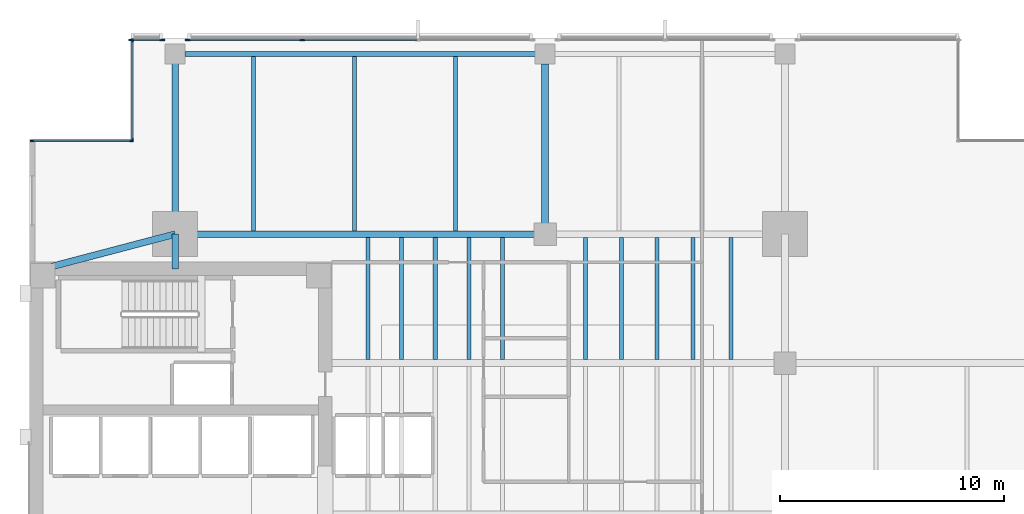
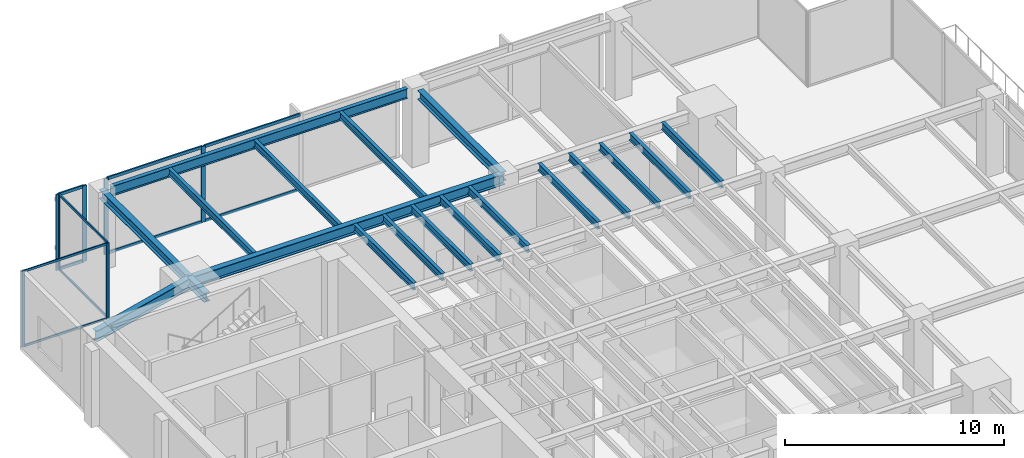
# One storey, part 5 of 14: 19 beams, 18 members, 4 elements without a shape of their own.
"""IFC4 building model written with IfcOpenShell, lengths in metres."""

import ifcopenshell
import ifcopenshell.guid

model = None  # the IFC model being written
_history = None  # IfcOwnerHistory: only IFC2X3 demands one
_inside = {}  # id of a spatial element -> (the spatial element, [elements in it])
_under = {}  # id of a project, library or spatial element -> (it, [spatial elements below it])
_declared = {}  # id of a project -> (the project, [libraries it declares])
_typed = {}  # id of a type object -> (the type object, [elements of that type])
_made_of = {}  # id of a material, layer set ... -> (it, [elements and type objects made of it])


def new_model(schema):
    """Start an empty IFC model of exactly this schema.

    Asked for "IFC4X3", IfcOpenShell would pick the latest addendum, in which some entities
    have other attributes; the version numbers below select the first issue.
    IFC2X3 requires an IfcOwnerHistory on every rooted entity: one is made here for all.
    """
    global model, _history
    if schema == "IFC4X3":
        model = ifcopenshell.file(schema_version=(4, 3, 0, 0))
    else:
        model = ifcopenshell.file(schema=schema)
    _inside.clear()
    _under.clear()
    _declared.clear()
    _typed.clear()
    _made_of.clear()
    _history = None
    if model.schema == "IFC2X3":
        org = make("IfcOrganization", Name="unknown")
        user = make(
            "IfcPersonAndOrganization",
            ThePerson=make("IfcPerson", FamilyName="unknown"),
            TheOrganization=org,
        )
        app = make(
            "IfcApplication",
            ApplicationDeveloper=org,
            Version="unknown",
            ApplicationFullName="unknown",
            ApplicationIdentifier="unknown",
        )
        _history = make(
            "IfcOwnerHistory",
            OwningUser=user,
            OwningApplication=app,
            ChangeAction="ADDED",
            CreationDate=0,
        )
    return model


def make(cls, **values):
    """One entity of the class cls with the attributes given. An attribute that is None is left unset."""
    return model.create_entity(
        cls, **{name: value for name, value in values.items() if value is not None}
    )


def rooted(cls, **values):
    """An entity with a GlobalId (a new one), such as an element, a storey or a relation."""
    return make(cls, GlobalId=ifcopenshell.guid.new(), OwnerHistory=_history, **values)


def si_unit(unit_type, name, prefix=None):
    """IfcSIUnit, for example si_unit("LENGTHUNIT", "METRE", prefix="MILLI")."""
    return make("IfcSIUnit", UnitType=unit_type, Prefix=prefix, Name=name)


def assignment(units):
    """IfcUnitAssignment: the units of a project."""
    return None if units is None else make("IfcUnitAssignment", Units=units)


def point(xyz):
    """IfcCartesianPoint."""
    return None if xyz is None else make("IfcCartesianPoint", Coordinates=xyz)


def direction(xyz):
    """IfcDirection."""
    return None if xyz is None else make("IfcDirection", DirectionRatios=xyz)


def frame(location, z_axis=None, x_axis=None):
    """IfcAxis2Placement3D, a coordinate frame: its origin and axes. An axis left out is left unset."""
    return make(
        "IfcAxis2Placement3D",
        Location=point(location),
        Axis=direction(z_axis),
        RefDirection=direction(x_axis),
    )


def frame_2d(location, x_axis=None):
    """IfcAxis2Placement2D, a coordinate frame in the plane: its origin and x axis."""
    return make(
        "IfcAxis2Placement2D", Location=point(location), RefDirection=direction(x_axis)
    )


def origin():
    """The frame at (0, 0, 0) with its axes left unset."""
    return frame((0.0, 0.0, 0.0))


def origin_2d():
    """The frame at (0, 0) in the plane with its x axis left unset."""
    return frame_2d((0.0, 0.0))


def place(relative_to, where):
    """IfcLocalPlacement: puts the frame where relative to a parent placement (None: the world)."""
    return make(
        "IfcLocalPlacement", PlacementRelTo=relative_to, RelativePlacement=where
    )


def context(
    kind, dimensions, precision=None, world=None, true_north=None, identifier=None
):
    """IfcGeometricRepresentationContext, for example the 3D "Model" context."""
    return make(
        "IfcGeometricRepresentationContext",
        ContextIdentifier=identifier,
        ContextType=kind,
        CoordinateSpaceDimension=dimensions,
        Precision=precision,
        WorldCoordinateSystem=world,
        TrueNorth=true_north,
    )


def subcontext(parent, identifier, kind, view, scale=None):
    """IfcGeometricRepresentationSubContext, for example "Body" below "Model"."""
    return make(
        "IfcGeometricRepresentationSubContext",
        ContextIdentifier=identifier,
        ContextType=kind,
        ParentContext=parent,
        TargetScale=scale,
        TargetView=view,
    )


def project(units=None, contexts=None):
    """IfcProject with its units and contexts."""
    return rooted(
        "IfcProject",
        Name="project",
        RepresentationContexts=contexts,
        UnitsInContext=assignment(units),
    )


def spatial(cls, under=None, at=None, **own):
    """A site, building, storey or space (cls), placed at a placement, below another one or the project."""
    s = rooted(cls, ObjectPlacement=at, **own)
    if under is not None:
        _under.setdefault(under.id(), (under, []))[1].append(s)
    return s


def profile(cls, at=None, kind="AREA", **sizes):
    """A parametric profile (cls). Its sizes go by their IFC names, for example OverallWidth=200.0."""
    return make(cls, ProfileType=kind, Position=at, **sizes)


def rectangle(**sizes):
    """IfcRectangleProfileDef."""
    return profile("IfcRectangleProfileDef", **sizes)


def i_section(**sizes):
    """IfcIShapeProfileDef."""
    return profile("IfcIShapeProfileDef", **sizes)


def extrude(swept, where, along, depth):
    """IfcExtrudedAreaSolid: the profile swept, set in the frame where, extruded along a direction by depth."""
    return make(
        "IfcExtrudedAreaSolid",
        SweptArea=swept,
        Position=where,
        ExtrudedDirection=direction(along),
        Depth=depth,
    )


def shape(context_of_items, identifier, shape_type, items):
    """IfcShapeRepresentation: the items that make up one representation, for example the "Body"."""
    return make(
        "IfcShapeRepresentation",
        ContextOfItems=context_of_items,
        RepresentationIdentifier=identifier,
        RepresentationType=shape_type,
        Items=items,
    )


def material(Name=None, Category=None):
    """IfcMaterial."""
    return make("IfcMaterial", Name=Name, Category=Category)


def layer(
    of_material, thickness, ventilated=None, Name=None, Category=None, Priority=None
):
    """IfcMaterialLayer: one layer of a wall or slab, of a material (None: an air gap)."""
    return make(
        "IfcMaterialLayer",
        Material=of_material,
        LayerThickness=thickness,
        IsVentilated=ventilated,
        Name=Name,
        Category=Category,
        Priority=Priority,
    )


def layer_set(layers, Name=None):
    """IfcMaterialLayerSet."""
    return make("IfcMaterialLayerSet", MaterialLayers=layers, LayerSetName=Name)


def material_profile(
    of_material, cross_section, Name=None, Category=None, Priority=None
):
    """IfcMaterialProfile: a cross section and its material."""
    return make(
        "IfcMaterialProfile",
        Name=Name,
        Material=of_material,
        Profile=cross_section,
        Priority=Priority,
        Category=Category,
    )


def profile_set(profiles, Name=None, composite=None):
    """IfcMaterialProfileSet."""
    return make(
        "IfcMaterialProfileSet",
        Name=Name,
        MaterialProfiles=profiles,
        CompositeProfile=composite,
    )


def made_of(thing, what):
    """Note that an element or type object is made of a material, layer set ...; save() writes the relation."""
    if what is not None:
        _made_of.setdefault(what.id(), (what, []))[1].append(thing)
    return thing


def type_object(cls, material=None, **own):
    """A type object (cls), such as IfcWallType, which elements share."""
    return made_of(rooted(cls, **own), material)


def element(
    cls,
    number,
    at=None,
    inside=None,
    cuts=None,
    type_object=None,
    material=None,
    context=None,
    identifier="Body",
    shape_type=None,
    held_by="IfcProductDefinitionShape",
    body=None,
    shapes=None,
    **own,
):
    """One element of the class cls, such as IfcWall. Its Tag is "e" and its number.

    at: its placement. inside: the storey or other place that contains it. cuts: it is an
    opening in that element (IfcRelVoidsElement). A single representation is given by context,
    identifier, shape_type and body (its items); several are given by shapes. held_by: the class
    of the entity that holds the representations. save() writes the other relations.
    """
    e = rooted(cls, Tag="e%d" % number, ObjectPlacement=at, **own)
    if body is not None:
        shapes = [shape(context, identifier, shape_type, body)]
    if shapes is not None:
        e.Representation = make(held_by, Representations=shapes)
    if inside is not None:
        _inside.setdefault(inside.id(), (inside, []))[1].append(e)
    if cuts is not None:
        rooted(
            "IfcRelVoidsElement", RelatingBuildingElement=cuts, RelatedOpeningElement=e
        )
    if type_object is not None:
        _typed.setdefault(type_object.id(), (type_object, []))[1].append(e)
    return made_of(e, material)


def aggregate(whole, parts):
    """IfcRelAggregates: a whole, such as a stair, and the parts it consists of."""
    return rooted("IfcRelAggregates", RelatingObject=whole, RelatedObjects=parts)


def save(model, path):
    """Write the relations noted so far, then the file.

    IfcRelAggregates (storeys below a building ...), IfcRelContainedInSpatialStructure (elements
    in a storey), IfcRelDefinesByType, IfcRelAssociatesMaterial and IfcRelDeclares: one each for
    every whole, place, type object, material and project.
    """
    for whole, parts in _under.values():
        aggregate(whole, parts)
    for where, things in _inside.values():
        rooted(
            "IfcRelContainedInSpatialStructure",
            RelatedElements=things,
            RelatingStructure=where,
        )
    for kind, things in _typed.values():
        rooted("IfcRelDefinesByType", RelatedObjects=things, RelatingType=kind)
    for what, things in _made_of.values():
        rooted("IfcRelAssociatesMaterial", RelatedObjects=things, RelatingMaterial=what)
    for by, libraries in _declared.values():
        rooted("IfcRelDeclares", RelatingContext=by, RelatedDefinitions=libraries)
    model.write(path)


model = new_model("IFC4")

# Units and contexts
model_context = context("Model", 3, precision=1e-05, world=origin(), true_north=direction((0.0, 1.0)))
body_context = subcontext(model_context, "Body", "Model", "MODEL_VIEW")
ifc_project = project(units=[si_unit("LENGTHUNIT", "METRE"), si_unit("AREAUNIT", "SQUARE_METRE"), si_unit("VOLUMEUNIT", "CUBIC_METRE"), si_unit("PLANEANGLEUNIT", "RADIAN"), si_unit("MASSUNIT", "GRAM", prefix="KILO")], contexts=[model_context])

# Site, building, storey
site_placement = place(None, origin())
site = spatial("IfcSite", under=ifc_project, at=site_placement, CompositionType="ELEMENT")
building_placement = place(site_placement, origin())
building = spatial("IfcBuilding", under=site, at=building_placement, Name="Kinhvarn Gate Tower", CompositionType="ELEMENT")
storey_placement = place(building_placement, frame((0.0, 0.0, 97.85009765625)))
storey = spatial("IfcBuildingStorey", under=building, at=storey_placement, Name="L25", CompositionType="ELEMENT", Elevation=97.85009765625)

# Curtain wall, members
ifc_material_1 = material(Name="Anodised aluminium AW-6063", Category="aluminium")
ifc_layer_1 = layer(ifc_material_1, 0.179931640625)
ifc_layer_set_1 = layer_set([ifc_layer_1], Name="Anodised aluminium AW-6063")
curtain_wall_type_1 = type_object("IfcCurtainWallType", Name="CW-SYS-4", PredefinedType="NOTDEFINED", material=ifc_layer_set_1)
curtain_wall_1_placement = place(storey_placement, origin())
curtain_wall_1 = element("IfcCurtainWall", 1, at=curtain_wall_1_placement, inside=storey, type_object=curtain_wall_type_1, Name="Curtain Wall CW4 (L25)", PredefinedType="NOTDEFINED")
ifc_material_profile_1 = material_profile(ifc_material_1, rectangle(XDim=0.06494140625, YDim=0.159912109375, at=origin_2d()), Name="ALU 65x160")
ifc_profile_set_1 = profile_set([ifc_material_profile_1], Name="Anodised aluminium AW-6063")
member_type_1 = type_object("IfcMemberType", Name="CW-MUL-160", PredefinedType="MULLION", material=ifc_profile_set_1)
member_1_placement = place(storey_placement, frame((9.090087890625, 46.37744140625, 0.0), z_axis=(0.0, 0.0, 1.0), x_axis=(1.0, 0.0, 0.0)))
member_1 = element("IfcMember", 2, at=member_1_placement, type_object=member_type_1, Name="CW4 mullion 1", PredefinedType="MULLION", context=body_context, shape_type="SweptSolid", body=[
    extrude(rectangle(XDim=0.06494140625, YDim=0.159912109375, at=origin_2d()), origin(), (0.0, 0.0, 1.0), 4.219970703125),
])
member_2_placement = place(storey_placement, frame((9.090087890625, 41.9423828125, 0.0), z_axis=(0.0, 0.0, 1.0), x_axis=(1.0, 0.0, 0.0)))
member_2 = element("IfcMember", 3, at=member_2_placement, type_object=member_type_1, Name="CW4 mullion 2", PredefinedType="MULLION", context=body_context, shape_type="SweptSolid", body=[
    extrude(rectangle(XDim=0.06494140625, YDim=0.159912109375, at=origin_2d()), origin(), (0.0, 0.0, 1.0), 4.219970703125),
])

curtain_wall_2_placement = place(storey_placement, origin())
curtain_wall_2 = element("IfcCurtainWall", 4, at=curtain_wall_2_placement, inside=storey, type_object=curtain_wall_type_1, Name="Curtain Wall CW4 (L25)", PredefinedType="NOTDEFINED")
member_3_placement = place(storey_placement, frame((9.0576171875, 41.909912109375, 0.0), z_axis=(0.0, 0.0, 1.0), x_axis=(0.0, -1.0, 0.0)))
member_3 = element("IfcMember", 5, at=member_3_placement, type_object=member_type_1, Name="CW4 mullion 1", PredefinedType="MULLION", context=body_context, shape_type="SweptSolid", body=[
    extrude(rectangle(XDim=0.06494140625, YDim=0.159912109375, at=origin_2d()), origin(), (0.0, 0.0, 1.0), 4.219970703125),
])
member_4_placement = place(storey_placement, frame((4.62255859375, 41.909912109375, 0.0), z_axis=(0.0, 0.0, 1.0), x_axis=(0.0, -1.0, 0.0)))
member_4 = element("IfcMember", 6, at=member_4_placement, type_object=member_type_1, Name="CW4 mullion 2", PredefinedType="MULLION", context=body_context, shape_type="SweptSolid", body=[
    extrude(rectangle(XDim=0.06494140625, YDim=0.159912109375, at=origin_2d()), origin(), (0.0, 0.0, 1.0), 4.219970703125),
])

ifc_layer_2 = layer(ifc_material_1, 0.219970703125)
ifc_layer_set_2 = layer_set([ifc_layer_2], Name="Anodised aluminium AW-6063")
curtain_wall_type_2 = type_object("IfcCurtainWallType", Name="CW-SYS-5", PredefinedType="NOTDEFINED", material=ifc_layer_set_2)
curtain_wall_3_placement = place(storey_placement, origin())
curtain_wall_3 = element("IfcCurtainWall", 7, at=curtain_wall_3_placement, inside=storey, type_object=curtain_wall_type_2, Name="Curtain Wall CW5 (L25)", PredefinedType="NOTDEFINED")
ifc_material_profile_2 = material_profile(ifc_material_1, rectangle(XDim=0.080078125, YDim=0.219970703125, at=origin_2d()), Name="ALU 80x220")
ifc_profile_set_2 = profile_set([ifc_material_profile_2], Name="Anodised aluminium AW-6063")
member_type_2 = type_object("IfcMemberType", Name="CW-MUL-220", PredefinedType="MULLION", material=ifc_profile_set_2)
member_5_placement = place(storey_placement, frame((16.6767578125, 46.409912109375, 0.0), z_axis=(0.0, 0.0, 1.0), x_axis=(0.0, -1.0, 0.0)))
member_5 = element("IfcMember", 8, at=member_5_placement, type_object=member_type_2, Name="CW5 mullion 3", PredefinedType="MULLION", context=body_context, shape_type="SweptSolid", body=[
    extrude(rectangle(XDim=0.080078125, YDim=0.219970703125, at=origin_2d()), origin(), (0.0, 0.0, 1.0), 4.219970703125),
])
member_6_placement = place(storey_placement, frame((11.570068359375, 46.409912109375, 0.0), z_axis=(0.0, 0.0, 1.0), x_axis=(0.0, -1.0, 0.0)))
member_6 = element("IfcMember", 9, at=member_6_placement, type_object=member_type_2, Name="CW5 mullion 4", PredefinedType="MULLION", context=body_context, shape_type="SweptSolid", body=[
    extrude(rectangle(XDim=0.080078125, YDim=0.219970703125, at=origin_2d()), origin(), (0.0, 0.0, 1.0), 4.219970703125),
])

curtain_wall_4_placement = place(storey_placement, origin())
curtain_wall_4 = element("IfcCurtainWall", 10, at=curtain_wall_4_placement, inside=storey, type_object=curtain_wall_type_2, Name="Curtain Wall CW5 (L25)", PredefinedType="NOTDEFINED")
member_7_placement = place(storey_placement, frame((10.429931640625, 46.409912109375, 0.0), z_axis=(0.0, 0.0, 1.0), x_axis=(0.0, -1.0, 0.0)))
member_7 = element("IfcMember", 11, at=member_7_placement, type_object=member_type_2, Name="CW5 mullion 1", PredefinedType="MULLION", context=body_context, shape_type="SweptSolid", body=[
    extrude(rectangle(XDim=0.080078125, YDim=0.219970703125, at=origin_2d()), origin(), (0.0, 0.0, 1.0), 4.219970703125),
])
member_8_placement = place(storey_placement, frame((9.0400390625, 46.409912109375, 0.0), z_axis=(0.0, 0.0, 1.0), x_axis=(0.0, -1.0, 0.0)))
member_8 = element("IfcMember", 12, at=member_8_placement, type_object=member_type_2, Name="CW5 mullion 2", PredefinedType="MULLION", context=body_context, shape_type="SweptSolid", body=[
    extrude(rectangle(XDim=0.080078125, YDim=0.219970703125, at=origin_2d()), origin(), (0.0, 0.0, 1.0), 4.219970703125),
])

# Member
ifc_material_profile_3 = material_profile(ifc_material_1, rectangle(XDim=0.06494140625, YDim=0.1201171875, at=origin_2d()), Name="ALU 65x120")
ifc_profile_set_3 = profile_set([ifc_material_profile_3], Name="Anodised aluminium AW-6063")
member_type_3 = type_object("IfcMemberType", Name="CW-TRN-120", PredefinedType="USERDEFINED", material=ifc_profile_set_3)
member_9_placement = place(storey_placement, frame((9.090087890625, 46.344970703125, 0.032470703125), z_axis=(0.0, -1.0, 0.0), x_axis=(1.0, 0.0, 0.0)))
member_9 = element("IfcMember", 13, at=member_9_placement, type_object=member_type_3, Name="CW4 transom 1.1", ObjectType="TRANSOM", PredefinedType="USERDEFINED", context=body_context, shape_type="SweptSolid", body=[
    extrude(rectangle(XDim=0.06494140625, YDim=0.1201171875, at=origin_2d()), origin(), (0.0, 0.0, 1.0), 4.369873046875),
])

member_10_placement = place(storey_placement, frame((9.090087890625, 46.344970703125, 4.1875), z_axis=(0.0, -1.0, 0.0), x_axis=(1.0, 0.0, 0.0)))
member_10 = element("IfcMember", 14, at=member_10_placement, type_object=member_type_3, Name="CW4 transom 1.2", ObjectType="TRANSOM", PredefinedType="USERDEFINED", context=body_context, shape_type="SweptSolid", body=[
    extrude(rectangle(XDim=0.06494140625, YDim=0.1201171875, at=origin_2d()), origin(), (0.0, 0.0, 1.0), 4.369873046875),
])

aggregate(curtain_wall_1, [member_1, member_2, member_9, member_10])

member_11_placement = place(storey_placement, frame((9.02490234375, 41.909912109375, 0.032470703125), z_axis=(-1.0, 0.0, 0.0), x_axis=(0.0, -1.0, 0.0)))
member_11 = element("IfcMember", 15, at=member_11_placement, type_object=member_type_3, Name="CW4 transom 1.1", ObjectType="TRANSOM", PredefinedType="USERDEFINED", context=body_context, shape_type="SweptSolid", body=[
    extrude(rectangle(XDim=0.06494140625, YDim=0.1201171875, at=origin_2d()), origin(), (0.0, 0.0, 1.0), 4.369873046875),
])

member_12_placement = place(storey_placement, frame((9.02490234375, 41.909912109375, 4.1875), z_axis=(-1.0, 0.0, 0.0), x_axis=(0.0, -1.0, 0.0)))
member_12 = element("IfcMember", 16, at=member_12_placement, type_object=member_type_3, Name="CW4 transom 1.2", ObjectType="TRANSOM", PredefinedType="USERDEFINED", context=body_context, shape_type="SweptSolid", body=[
    extrude(rectangle(XDim=0.06494140625, YDim=0.1201171875, at=origin_2d()), origin(), (0.0, 0.0, 1.0), 4.369873046875),
])

aggregate(curtain_wall_2, [member_3, member_4, member_11, member_12])

ifc_material_profile_4 = material_profile(ifc_material_1, rectangle(XDim=0.080078125, YDim=0.159912109375, at=origin_2d()), Name="ALU 80x160")
ifc_profile_set_4 = profile_set([ifc_material_profile_4], Name="Anodised aluminium AW-6063")
member_type_4 = type_object("IfcMemberType", Name="CW-TRN-160", PredefinedType="USERDEFINED", material=ifc_profile_set_4)
member_13_placement = place(storey_placement, frame((21.783447265625, 46.409912109375, 0.039794921875), z_axis=(-1.0, 0.0, 0.0), x_axis=(0.0, -1.0, 0.0)))
member_13 = element("IfcMember", 17, at=member_13_placement, type_object=member_type_4, Name="CW5 transom 2.1", ObjectType="TRANSOM", PredefinedType="USERDEFINED", context=body_context, shape_type="SweptSolid", body=[
    extrude(rectangle(XDim=0.080078125, YDim=0.159912109375, at=origin_2d()), origin(), (0.0, 0.0, 1.0), 5.06689453125),
])

member_14_placement = place(storey_placement, frame((21.783447265625, 46.409912109375, 4.179931640625), z_axis=(-1.0, 0.0, 0.0), x_axis=(0.0, -1.0, 0.0)))
member_14 = element("IfcMember", 18, at=member_14_placement, type_object=member_type_4, Name="CW5 transom 2.2", ObjectType="TRANSOM", PredefinedType="USERDEFINED", context=body_context, shape_type="SweptSolid", body=[
    extrude(rectangle(XDim=0.080078125, YDim=0.159912109375, at=origin_2d()), origin(), (0.0, 0.0, 1.0), 5.06689453125),
])

member_15_placement = place(storey_placement, frame((16.63671875, 46.409912109375, 0.039794921875), z_axis=(-1.0, 0.0, 0.0), x_axis=(0.0, -1.0, 0.0)))
member_15 = element("IfcMember", 19, at=member_15_placement, type_object=member_type_4, Name="CW5 transom 3.1", ObjectType="TRANSOM", PredefinedType="USERDEFINED", context=body_context, shape_type="SweptSolid", body=[
    extrude(rectangle(XDim=0.080078125, YDim=0.159912109375, at=origin_2d()), origin(), (0.0, 0.0, 1.0), 5.026611328125),
])

member_16_placement = place(storey_placement, frame((16.63671875, 46.409912109375, 4.179931640625), z_axis=(-1.0, 0.0, 0.0), x_axis=(0.0, -1.0, 0.0)))
member_16 = element("IfcMember", 20, at=member_16_placement, type_object=member_type_4, Name="CW5 transom 3.2", ObjectType="TRANSOM", PredefinedType="USERDEFINED", context=body_context, shape_type="SweptSolid", body=[
    extrude(rectangle(XDim=0.080078125, YDim=0.159912109375, at=origin_2d()), origin(), (0.0, 0.0, 1.0), 5.026611328125),
])

aggregate(curtain_wall_3, [member_5, member_6, member_13, member_14, member_15, member_16])

member_17_placement = place(storey_placement, frame((10.389892578125, 46.409912109375, 0.039794921875), z_axis=(-1.0, 0.0, 0.0), x_axis=(0.0, -1.0, 0.0)))
member_17 = element("IfcMember", 21, at=member_17_placement, type_object=member_type_4, Name="CW5 transom 1.1", ObjectType="TRANSOM", PredefinedType="USERDEFINED", context=body_context, shape_type="SweptSolid", body=[
    extrude(rectangle(XDim=0.080078125, YDim=0.159912109375, at=origin_2d()), origin(), (0.0, 0.0, 1.0), 1.309814453125),
])

member_18_placement = place(storey_placement, frame((10.389892578125, 46.409912109375, 4.179931640625), z_axis=(-1.0, 0.0, 0.0), x_axis=(0.0, -1.0, 0.0)))
member_18 = element("IfcMember", 22, at=member_18_placement, type_object=member_type_4, Name="CW5 transom 1.2", ObjectType="TRANSOM", PredefinedType="USERDEFINED", context=body_context, shape_type="SweptSolid", body=[
    extrude(rectangle(XDim=0.080078125, YDim=0.159912109375, at=origin_2d()), origin(), (0.0, 0.0, 1.0), 1.309814453125),
])

aggregate(curtain_wall_4, [member_7, member_8, member_17, member_18])

# Beams
ifc_material_2 = material(Name="Steel S355", Category="steel")
ifc_material_profile_5 = material_profile(ifc_material_2, i_section(OverallWidth=0.300048828125, OverallDepth=0.5, WebThickness=0.014404296875, FlangeThickness=0.028076171875, at=origin_2d()), Name="HEB 500")
ifc_profile_set_5 = profile_set([ifc_material_profile_5], Name="Steel S355")
beam_type_1 = type_object("IfcBeamType", Name="STL-HEB500", PredefinedType="BEAM", material=ifc_profile_set_5)
beam_1_placement = place(storey_placement, frame((11.0, 36.199951171875, 3.969970703125), z_axis=(0.0, 1.0, 0.0), x_axis=(-1.0, 0.0, 0.0)))
element("IfcBeam", 23, at=beam_1_placement, inside=storey, type_object=beam_type_1, Name="Floor Beam PG-14 (L25 MCW-CN)", PredefinedType="BEAM", context=body_context, shape_type="SweptSolid", body=[
    extrude(i_section(OverallWidth=0.300048828125, OverallDepth=0.5, WebThickness=0.014404296875, FlangeThickness=0.028076171875, at=origin_2d()), origin(), (0.0, 0.0, 1.0), 1.550048828125),
])
beam_2_placement = place(storey_placement, frame((11.0, 37.75, 3.969970703125), z_axis=(0.0, 1.0, 0.0), x_axis=(-1.0, 0.0, 0.0)))
element("IfcBeam", 24, at=beam_2_placement, inside=storey, type_object=beam_type_1, Name="Floor Beam PG-14 (L25 MCW-N)", PredefinedType="BEAM", context=body_context, shape_type="SweptSolid", body=[
    extrude(i_section(OverallWidth=0.300048828125, OverallDepth=0.5, WebThickness=0.014404296875, FlangeThickness=0.028076171875, at=origin_2d()), origin(), (0.0, 0.0, 1.0), 8.030029296875),
])
beam_3_placement = place(storey_placement, frame((27.5, 37.75, 3.969970703125), z_axis=(0.0, 1.0, 0.0), x_axis=(-1.0, 0.0, 0.0)))
element("IfcBeam", 25, at=beam_3_placement, inside=storey, type_object=beam_type_1, Name="Floor Beam PG-14 (L25 SP27-N-TIE)", PredefinedType="BEAM", context=body_context, shape_type="SweptSolid", body=[
    extrude(i_section(OverallWidth=0.300048828125, OverallDepth=0.5, WebThickness=0.014404296875, FlangeThickness=0.028076171875, at=origin_2d()), origin(), (0.0, 0.0, 1.0), 7.594970703125),
])
ifc_material_profile_6 = material_profile(ifc_material_2, i_section(OverallWidth=0.300048828125, OverallDepth=0.60009765625, WebThickness=0.015380859375, FlangeThickness=0.030029296875, at=origin_2d()), Name="HEB 600")
ifc_profile_set_6 = profile_set([ifc_material_profile_6], Name="Steel S355")
beam_type_2 = type_object("IfcBeamType", Name="STL-HEB600", PredefinedType="BEAM", material=ifc_profile_set_6)
beam_4_placement = place(storey_placement, frame((11.0, 37.75, 3.919921875), z_axis=(1.0, 0.0, 0.0), x_axis=(0.0, 1.0, 0.0)))
element("IfcBeam", 26, at=beam_4_placement, inside=storey, type_object=beam_type_2, Name="Floor Beam PG-16 (L25 MG-N1)", PredefinedType="BEAM", context=body_context, shape_type="SweptSolid", body=[
    extrude(i_section(OverallWidth=0.300048828125, OverallDepth=0.60009765625, WebThickness=0.015380859375, FlangeThickness=0.030029296875, at=origin_2d()), origin(), (0.0, 0.0, 1.0), 16.5),
])
beam_5_placement = place(storey_placement, frame((5.10009765625, 36.199951171875, 3.919921875), z_axis=(0.967177623957, 0.254101246979, 0.0), x_axis=(-0.254101246979, 0.967177623957, 0.0)))
element("IfcBeam", 27, at=beam_5_placement, inside=storey, type_object=beam_type_2, Name="Floor Beam PG-16 (L25 MG-NW-DIAG)", PredefinedType="BEAM", context=body_context, shape_type="SweptSolid", body=[
    extrude(i_section(OverallWidth=0.300048828125, OverallDepth=0.60009765625, WebThickness=0.015380859375, FlangeThickness=0.030029296875, at=origin_2d()), origin(), (0.0, 0.0, 1.0), 6.10009765625),
])
ifc_material_profile_7 = material_profile(ifc_material_2, i_section(OverallWidth=0.179931640625, OverallDepth=0.39990234375, WebThickness=0.008544921875, FlangeThickness=0.013427734375, at=origin_2d()), Name="IPE 400")
ifc_profile_set_7 = profile_set([ifc_material_profile_7], Name="Steel S355")
beam_type_3 = type_object("IfcBeamType", Name="STL-IPE400", PredefinedType="JOIST", material=ifc_profile_set_7)
for number, where, z_axis, x_axis, name in (
    (28, (19.60009765625, 32.14990234375, 4.02001953125), (0.0, 1.0, 0.0), (-1.0, 0.0, 0.0), "Floor Joist SB-05 (L25 JC-X196-3)"),
    (29, (21.10009765625, 32.14990234375, 4.02001953125), (0.0, 1.0, 0.0), (-1.0, 0.0, 0.0), "Floor Joist SB-05 (L25 JC-X211-3)"),
    (30, (22.60009765625, 32.14990234375, 4.02001953125), (0.0, 1.0, 0.0), (-1.0, 0.0, 0.0), "Floor Joist SB-05 (L25 JC-X226-3)"),
    (31, (24.10009765625, 32.14990234375, 4.02001953125), (0.0, 1.0, 0.0), (-1.0, 0.0, 0.0), "Floor Joist SB-05 (L25 JC-X241-3)"),
    (32, (25.60009765625, 32.14990234375, 4.02001953125), (0.0, 1.0, 0.0), (-1.0, 0.0, 0.0), "Floor Joist SB-05 (L25 JC-X256-3)"),
    (33, (29.300048828125, 32.14990234375, 4.02001953125), (0.0, 1.0, 0.0), (-1.0, 0.0, 0.0), "Floor Joist SB-05 (L25 JC-X293-3)"),
    (34, (30.89990234375, 32.14990234375, 4.02001953125), (0.0, 1.0, 0.0), (-1.0, 0.0, 0.0), "Floor Joist SB-05 (L25 JC-X309-3)"),
    (35, (32.5, 32.14990234375, 4.02001953125), (0.0, 1.0, 0.0), (-1.0, 0.0, 0.0), "Floor Joist SB-05 (L25 JC-X325-3)"),
    (36, (34.10009765625, 32.14990234375, 4.02001953125), (0.0, 1.0, 0.0), (-1.0, 0.0, 0.0), "Floor Joist SB-05 (L25 JC-X341-3)"),
    (37, (35.800048828125, 32.14990234375, 4.02001953125), (0.0, 1.0, 0.0), (-1.0, 0.0, 0.0), "Floor Joist SB-05 (L25 JC-X358-3)"),
):
    element("IfcBeam", number, at=place(storey_placement, frame(where, z_axis=z_axis, x_axis=x_axis)), inside=storey, type_object=beam_type_3, Name=name, PredefinedType="JOIST", context=body_context, shape_type="SweptSolid", body=[
        extrude(i_section(OverallWidth=0.179931640625, OverallDepth=0.39990234375, WebThickness=0.008544921875, FlangeThickness=0.013427734375, at=origin_2d()), origin(), (0.0, 0.0, 1.0), 5.4501953125),
    ])
for number, where, z_axis, x_axis, name in (
    (38, (14.5, 37.89990234375, 4.02001953125), (0.0, 1.0, 0.0), (-1.0, 0.0, 0.0), "Floor Joist SB-05 (L25 JN-X145)"),
    (39, (19.0, 37.89990234375, 4.02001953125), (0.0, 1.0, 0.0), (-1.0, 0.0, 0.0), "Floor Joist SB-05 (L25 JN-X190)"),
    (40, (23.5, 37.89990234375, 4.02001953125), (0.0, 1.0, 0.0), (-1.0, 0.0, 0.0), "Floor Joist SB-05 (L25 JN-X235)"),
):
    element("IfcBeam", number, at=place(storey_placement, frame(where, z_axis=z_axis, x_axis=x_axis)), inside=storey, type_object=beam_type_3, Name=name, PredefinedType="JOIST", context=body_context, shape_type="SweptSolid", body=[
        extrude(i_section(OverallWidth=0.179931640625, OverallDepth=0.39990234375, WebThickness=0.008544921875, FlangeThickness=0.013427734375, at=origin_2d()), origin(), (0.0, 0.0, 1.0), 7.775146484375),
    ])
ifc_material_profile_8 = material_profile(ifc_material_2, i_section(OverallWidth=0.2099609375, OverallDepth=0.550048828125, WebThickness=0.010986328125, FlangeThickness=0.01708984375, at=origin_2d()), Name="IPE 550")
ifc_profile_set_8 = profile_set([ifc_material_profile_8], Name="Steel S355")
beam_type_4 = type_object("IfcBeamType", Name="STL-IPE550", PredefinedType="SPANDREL", material=ifc_profile_set_8)
beam_6_placement = place(storey_placement, frame((11.43505859375, 45.780029296875, 3.94482421875), z_axis=(1.0, 0.0, 0.0), x_axis=(0.0, 1.0, 0.0)))
element("IfcBeam", 41, at=beam_6_placement, inside=storey, type_object=beam_type_4, Name="Floor Spandrel SB-08 (L25 SP-N1)", PredefinedType="SPANDREL", context=body_context, shape_type="SweptSolid", body=[
    extrude(i_section(OverallWidth=0.2099609375, OverallDepth=0.550048828125, WebThickness=0.010986328125, FlangeThickness=0.01708984375, at=origin_2d()), origin(), (0.0, 0.0, 1.0), 15.6298828125),
])

save(model, "model.ifc")
